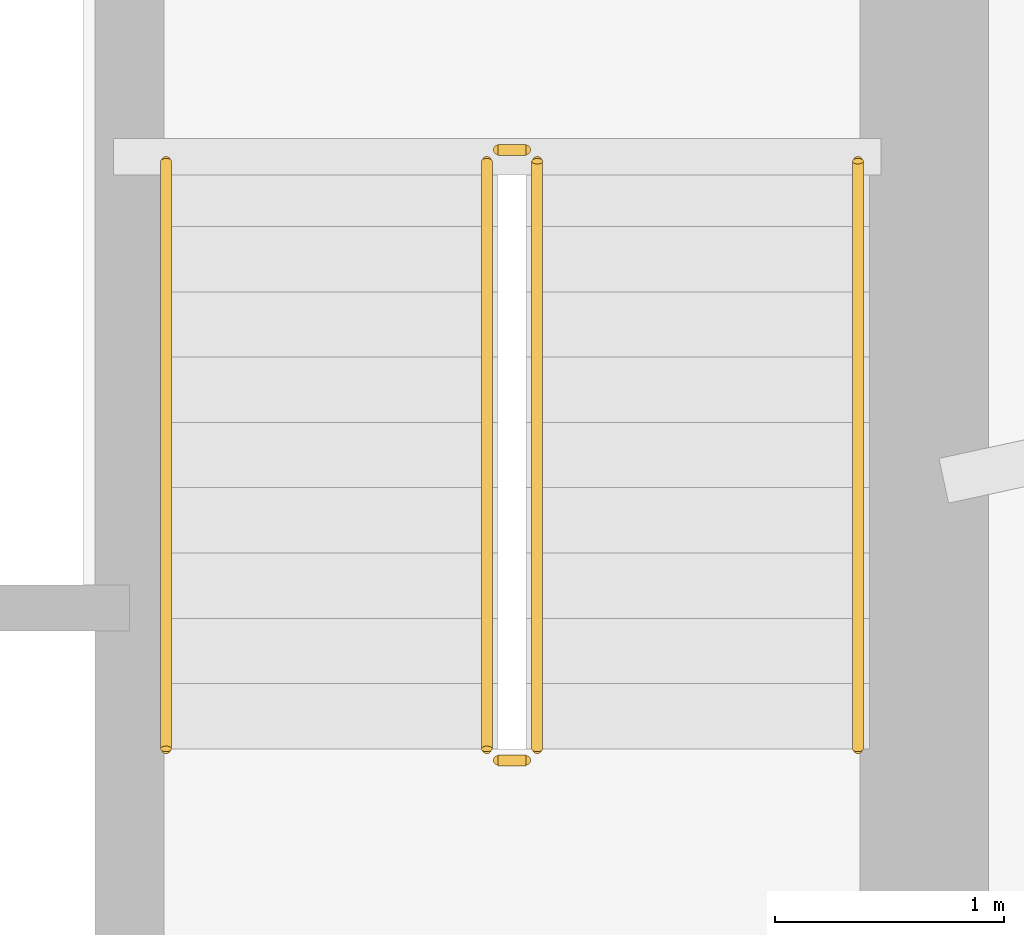
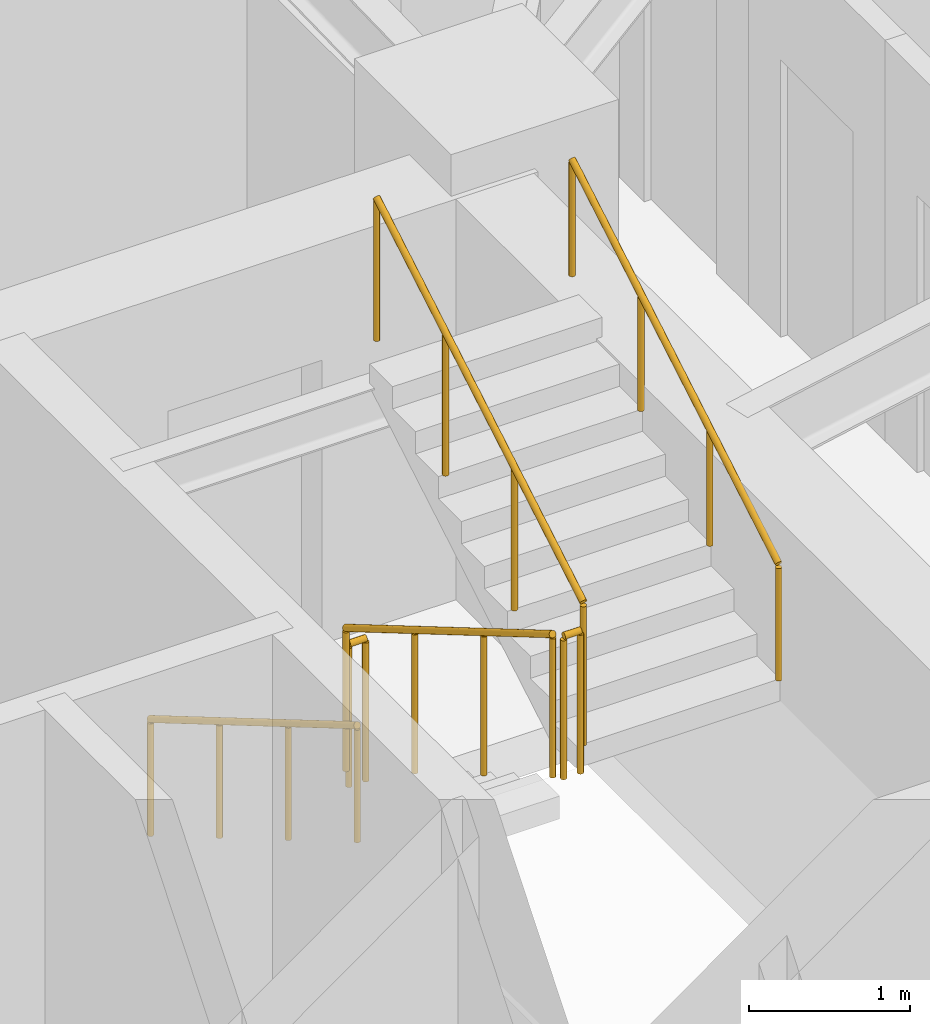
# One storey, part 21 of 22: 6 railings.
"""IFC4 building model written with IfcOpenShell, lengths in metres."""

from ifc_helpers import new_model, si_unit, direction, frame, origin, origin_2d, place, context, subcontext, project, spatial, circle, extrude, material, type_object, element, save


model = new_model("IFC4")

# Units and contexts
model_context = context("Model", 3, precision=1e-05, world=origin(), true_north=direction((0.0, 1.0)))
body_context = subcontext(model_context, "Body", "Model", "MODEL_VIEW")
ifc_project = project(units=[si_unit("LENGTHUNIT", "METRE"), si_unit("AREAUNIT", "SQUARE_METRE"), si_unit("VOLUMEUNIT", "CUBIC_METRE"), si_unit("PLANEANGLEUNIT", "RADIAN"), si_unit("MASSUNIT", "GRAM", prefix="KILO")], contexts=[model_context])

# Site, building, storey
site_placement = place(None, origin())
site = spatial("IfcSite", under=ifc_project, at=site_placement, CompositionType="ELEMENT")
building_placement = place(site_placement, origin())
building = spatial("IfcBuilding", under=site, at=building_placement, Name="Qobustan Lattice House", CompositionType="ELEMENT")
storey_placement = place(building_placement, frame((0.0, 0.0, 53.800048828125)))
storey = spatial("IfcBuildingStorey", under=building, at=storey_placement, Name="L14", CompositionType="ELEMENT", Elevation=53.800048828125)

# Railings
ifc_material_1 = material(Name="Brushed stainless steel handrail", Category="steel")
railing_type_1 = type_object("IfcRailingType", Name="RAL-HR-920", PredefinedType="HANDRAIL", material=ifc_material_1)
railing_1_placement = place(storey_placement, frame((15.179931640625, 3.5, 0.16748046875)))
element("IfcRailing", 1, at=railing_1_placement, inside=storey, type_object=railing_type_1, Name="L14 ST-E1 stair handrail 1", PredefinedType="HANDRAIL", context=body_context, shape_type="SweptSolid", body=[
    extrude(circle(Radius=0.02392578125, at=origin_2d()), frame((0.0, 0.0, 0.8759765625), z_axis=(0.0, -0.862113467892, 0.50671527358), x_axis=(1.0, 0.0, 0.0)), (0.0, 0.0, 1.0), 2.97509765625),
    extrude(circle(Radius=0.02099609375, at=origin_2d()), origin(), (0.0, 0.0, 1.0), 0.851806640625),
    extrude(circle(Radius=0.02099609375, at=origin_2d()), frame((0.0, -0.85498046875, 0.50244140625)), (0.0, 0.0, 1.0), 0.851806640625),
    extrude(circle(Radius=0.02099609375, at=origin_2d()), frame((0.0, -1.7099609375, 1.005126953125)), (0.0, 0.0, 1.0), 0.851806640625),
    extrude(circle(Radius=0.02099609375, at=origin_2d()), frame((0.0, -2.56494140625, 1.507568359375)), (0.0, 0.0, 1.0), 0.851806640625),
])
railing_2_placement = place(storey_placement, frame((18.199951171875, 0.93505859375, 1.842529296875)))
element("IfcRailing", 2, at=railing_2_placement, inside=storey, type_object=railing_type_1, Name="L14 ST-E1 stair handrail 2", PredefinedType="HANDRAIL", context=body_context, shape_type="SweptSolid", body=[
    extrude(circle(Radius=0.02392578125, at=origin_2d()), frame((0.0, 0.0, 0.8759765625), z_axis=(0.0, 0.862149314443, 0.506654280161), x_axis=(-1.0, 0.0, 0.0)), (0.0, 0.0, 1.0), 2.97509765625),
    extrude(circle(Radius=0.02099609375, at=origin_2d()), origin(), (0.0, 0.0, 1.0), 0.851806640625),
    extrude(circle(Radius=0.02099609375, at=origin_2d()), frame((0.0, 0.85498046875, 0.50244140625)), (0.0, 0.0, 1.0), 0.851806640625),
    extrude(circle(Radius=0.02099609375, at=origin_2d()), frame((0.0, 1.7099609375, 1.0048828125)), (0.0, 0.0, 1.0), 0.851806640625),
    extrude(circle(Radius=0.02099609375, at=origin_2d()), frame((0.0, 2.56494140625, 1.50732421875)), (0.0, 0.0, 1.0), 0.851806640625),
])
ifc_material_2 = material(Name="Painted galvanized steel guardrail", Category="steel")
railing_type_2 = type_object("IfcRailingType", Name="RAL-STG-1150", PredefinedType="GUARDRAIL", material=ifc_material_2)
railing_3_placement = place(storey_placement, frame((16.580078125, 3.5, 0.16748046875)))
element("IfcRailing", 3, at=railing_3_placement, inside=storey, type_object=railing_type_2, Name="L14 ST-E1 stair guard 1", PredefinedType="GUARDRAIL", context=body_context, shape_type="SweptSolid", body=[
    extrude(circle(Radius=0.02392578125, at=origin_2d()), frame((0.0, 0.0, 1.076171875), z_axis=(0.0, -0.862113467892, 0.50671527358), x_axis=(1.0, 0.0, 0.0)), (0.0, 0.0, 1.0), 2.97509765625),
    extrude(circle(Radius=0.02099609375, at=origin_2d()), origin(), (0.0, 0.0, 1.0), 1.052001953125),
    extrude(circle(Radius=0.02099609375, at=origin_2d()), frame((0.0, -0.85498046875, 0.50244140625)), (0.0, 0.0, 1.0), 1.052001953125),
    extrude(circle(Radius=0.02099609375, at=origin_2d()), frame((0.0, -1.7099609375, 1.005126953125)), (0.0, 0.0, 1.0), 1.052001953125),
    extrude(circle(Radius=0.02099609375, at=origin_2d()), frame((0.0, -2.56494140625, 1.507568359375)), (0.0, 0.0, 1.0), 1.052001953125),
])
railing_4_placement = place(storey_placement, frame((16.6298828125, 0.885009765625, 1.675048828125)))
element("IfcRailing", 4, at=railing_4_placement, inside=storey, type_object=railing_type_2, Name="L14 ST-E1 stair guard 2", PredefinedType="GUARDRAIL", context=body_context, shape_type="SweptSolid", body=[
    extrude(circle(Radius=0.02392578125, at=origin_2d()), frame((0.0, 0.0, 1.076171875), z_axis=(1.0, 0.0, 0.0), x_axis=(0.0, 1.0, 0.0)), (0.0, 0.0, 1.0), 0.1201171875),
    extrude(circle(Radius=0.02099609375, at=origin_2d()), origin(), (0.0, 0.0, 1.0), 1.052001953125),
    extrude(circle(Radius=0.02099609375, at=origin_2d()), frame((0.1201171875, 0.0, 0.0)), (0.0, 0.0, 1.0), 1.052001953125),
])
railing_5_placement = place(storey_placement, frame((16.800048828125, 0.93505859375, 1.842529296875)))
element("IfcRailing", 5, at=railing_5_placement, inside=storey, type_object=railing_type_2, Name="L14 ST-E1 stair guard 3", PredefinedType="GUARDRAIL", context=body_context, shape_type="SweptSolid", body=[
    extrude(circle(Radius=0.02392578125, at=origin_2d()), frame((0.0, 0.0, 1.076171875), z_axis=(0.0, 0.862149314443, 0.506654280161), x_axis=(-1.0, 0.0, 0.0)), (0.0, 0.0, 1.0), 2.97509765625),
    extrude(circle(Radius=0.02099609375, at=origin_2d()), origin(), (0.0, 0.0, 1.0), 1.052001953125),
    extrude(circle(Radius=0.02099609375, at=origin_2d()), frame((0.0, 0.85498046875, 0.50244140625)), (0.0, 0.0, 1.0), 1.052001953125),
    extrude(circle(Radius=0.02099609375, at=origin_2d()), frame((0.0, 1.7099609375, 1.0048828125)), (0.0, 0.0, 1.0), 1.052001953125),
    extrude(circle(Radius=0.02099609375, at=origin_2d()), frame((0.0, 2.56494140625, 1.50732421875)), (0.0, 0.0, 1.0), 1.052001953125),
])
railing_6_placement = place(storey_placement, frame((16.6298828125, 3.550048828125, 0.0)))
element("IfcRailing", 6, at=railing_6_placement, inside=storey, type_object=railing_type_2, Name="L14 ST-E1 stair guard 4", PredefinedType="GUARDRAIL", context=body_context, shape_type="SweptSolid", body=[
    extrude(circle(Radius=0.02392578125, at=origin_2d()), frame((0.0, 0.0, 1.076171875), z_axis=(1.0, 0.0, 0.0), x_axis=(0.0, 1.0, 0.0)), (0.0, 0.0, 1.0), 0.1201171875),
    extrude(circle(Radius=0.02099609375, at=origin_2d()), origin(), (0.0, 0.0, 1.0), 1.052001953125),
    extrude(circle(Radius=0.02099609375, at=origin_2d()), frame((0.1201171875, 0.0, 0.0)), (0.0, 0.0, 1.0), 1.052001953125),
])

save(model, "model.ifc")
